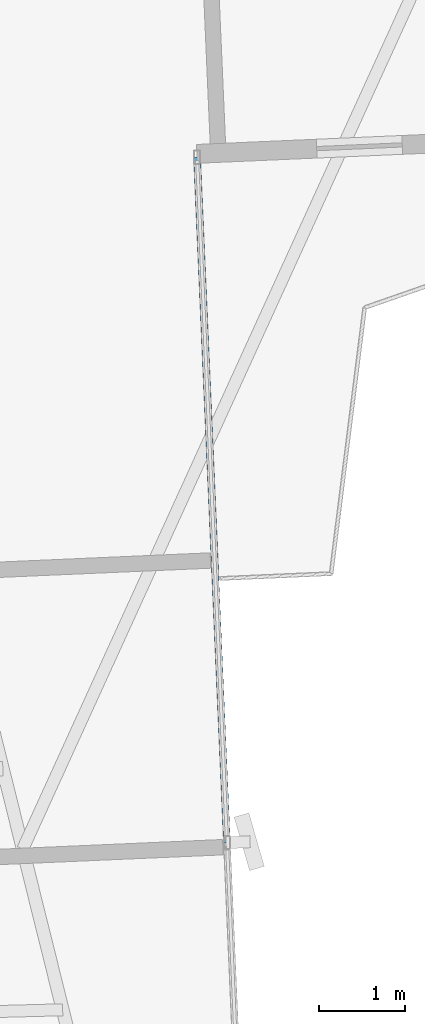
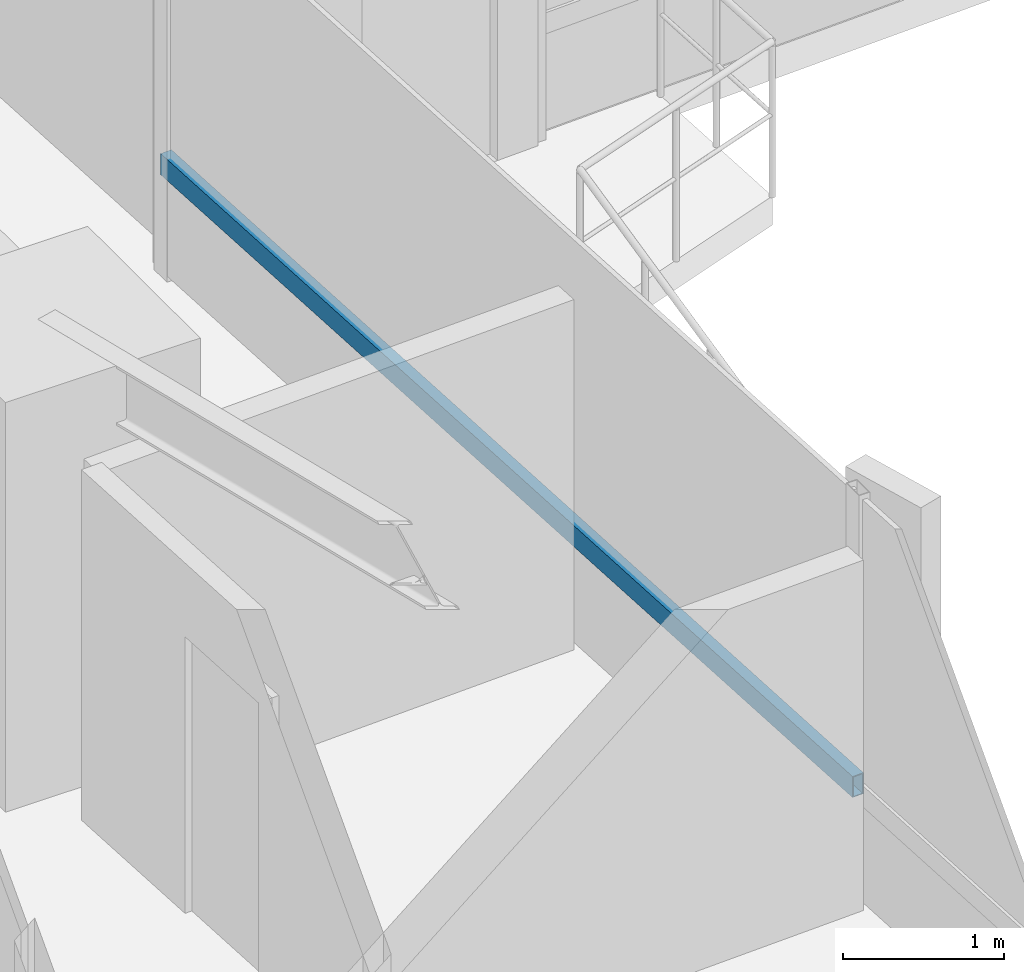
# One storey, part 7 of 26: 1 member, 1 element without a shape of its own.
"""IFC4 building model written with IfcOpenShell, lengths in metres."""

import ifcopenshell
import ifcopenshell.guid

model = None  # the IFC model being written
_history = None  # IfcOwnerHistory: only IFC2X3 demands one
_inside = {}  # id of a spatial element -> (the spatial element, [elements in it])
_under = {}  # id of a project, library or spatial element -> (it, [spatial elements below it])
_declared = {}  # id of a project -> (the project, [libraries it declares])
_typed = {}  # id of a type object -> (the type object, [elements of that type])
_made_of = {}  # id of a material, layer set ... -> (it, [elements and type objects made of it])


def new_model(schema):
    """Start an empty IFC model of exactly this schema.

    Asked for "IFC4X3", IfcOpenShell would pick the latest addendum, in which some entities
    have other attributes; the version numbers below select the first issue.
    IFC2X3 requires an IfcOwnerHistory on every rooted entity: one is made here for all.
    """
    global model, _history
    if schema == "IFC4X3":
        model = ifcopenshell.file(schema_version=(4, 3, 0, 0))
    else:
        model = ifcopenshell.file(schema=schema)
    _inside.clear()
    _under.clear()
    _declared.clear()
    _typed.clear()
    _made_of.clear()
    _history = None
    if model.schema == "IFC2X3":
        org = make("IfcOrganization", Name="unknown")
        user = make(
            "IfcPersonAndOrganization",
            ThePerson=make("IfcPerson", FamilyName="unknown"),
            TheOrganization=org,
        )
        app = make(
            "IfcApplication",
            ApplicationDeveloper=org,
            Version="unknown",
            ApplicationFullName="unknown",
            ApplicationIdentifier="unknown",
        )
        _history = make(
            "IfcOwnerHistory",
            OwningUser=user,
            OwningApplication=app,
            ChangeAction="ADDED",
            CreationDate=0,
        )
    return model


def make(cls, **values):
    """One entity of the class cls with the attributes given. An attribute that is None is left unset."""
    return model.create_entity(
        cls, **{name: value for name, value in values.items() if value is not None}
    )


def rooted(cls, **values):
    """An entity with a GlobalId (a new one), such as an element, a storey or a relation."""
    return make(cls, GlobalId=ifcopenshell.guid.new(), OwnerHistory=_history, **values)


def si_unit(unit_type, name, prefix=None):
    """IfcSIUnit, for example si_unit("LENGTHUNIT", "METRE", prefix="MILLI")."""
    return make("IfcSIUnit", UnitType=unit_type, Prefix=prefix, Name=name)


def assignment(units):
    """IfcUnitAssignment: the units of a project."""
    return None if units is None else make("IfcUnitAssignment", Units=units)


def point(xyz):
    """IfcCartesianPoint."""
    return None if xyz is None else make("IfcCartesianPoint", Coordinates=xyz)


def direction(xyz):
    """IfcDirection."""
    return None if xyz is None else make("IfcDirection", DirectionRatios=xyz)


def frame(location, z_axis=None, x_axis=None):
    """IfcAxis2Placement3D, a coordinate frame: its origin and axes. An axis left out is left unset."""
    return make(
        "IfcAxis2Placement3D",
        Location=point(location),
        Axis=direction(z_axis),
        RefDirection=direction(x_axis),
    )


def frame_2d(location, x_axis=None):
    """IfcAxis2Placement2D, a coordinate frame in the plane: its origin and x axis."""
    return make(
        "IfcAxis2Placement2D", Location=point(location), RefDirection=direction(x_axis)
    )


def origin():
    """The frame at (0, 0, 0) with its axes left unset."""
    return frame((0.0, 0.0, 0.0))


def origin_2d():
    """The frame at (0, 0) in the plane with its x axis left unset."""
    return frame_2d((0.0, 0.0))


def place(relative_to, where):
    """IfcLocalPlacement: puts the frame where relative to a parent placement (None: the world)."""
    return make(
        "IfcLocalPlacement", PlacementRelTo=relative_to, RelativePlacement=where
    )


def context(
    kind, dimensions, precision=None, world=None, true_north=None, identifier=None
):
    """IfcGeometricRepresentationContext, for example the 3D "Model" context."""
    return make(
        "IfcGeometricRepresentationContext",
        ContextIdentifier=identifier,
        ContextType=kind,
        CoordinateSpaceDimension=dimensions,
        Precision=precision,
        WorldCoordinateSystem=world,
        TrueNorth=true_north,
    )


def subcontext(parent, identifier, kind, view, scale=None):
    """IfcGeometricRepresentationSubContext, for example "Body" below "Model"."""
    return make(
        "IfcGeometricRepresentationSubContext",
        ContextIdentifier=identifier,
        ContextType=kind,
        ParentContext=parent,
        TargetScale=scale,
        TargetView=view,
    )


def project(units=None, contexts=None):
    """IfcProject with its units and contexts."""
    return rooted(
        "IfcProject",
        Name="project",
        RepresentationContexts=contexts,
        UnitsInContext=assignment(units),
    )


def spatial(cls, under=None, at=None, **own):
    """A site, building, storey or space (cls), placed at a placement, below another one or the project."""
    s = rooted(cls, ObjectPlacement=at, **own)
    if under is not None:
        _under.setdefault(under.id(), (under, []))[1].append(s)
    return s


def profile(cls, at=None, kind="AREA", **sizes):
    """A parametric profile (cls). Its sizes go by their IFC names, for example OverallWidth=200.0."""
    return make(cls, ProfileType=kind, Position=at, **sizes)


def hollow_rectangle(**sizes):
    """IfcRectangleHollowProfileDef."""
    return profile("IfcRectangleHollowProfileDef", **sizes)


def extrude(swept, where, along, depth):
    """IfcExtrudedAreaSolid: the profile swept, set in the frame where, extruded along a direction by depth."""
    return make(
        "IfcExtrudedAreaSolid",
        SweptArea=swept,
        Position=where,
        ExtrudedDirection=direction(along),
        Depth=depth,
    )


def shape(context_of_items, identifier, shape_type, items):
    """IfcShapeRepresentation: the items that make up one representation, for example the "Body"."""
    return make(
        "IfcShapeRepresentation",
        ContextOfItems=context_of_items,
        RepresentationIdentifier=identifier,
        RepresentationType=shape_type,
        Items=items,
    )


def source(mapping_origin, context_of_items, identifier, shape_type, items):
    """IfcRepresentationMap: a shape defined once, which mapped items show again and again."""
    return make(
        "IfcRepresentationMap",
        MappingOrigin=mapping_origin,
        MappedRepresentation=shape(context_of_items, identifier, shape_type, items),
    )


def transform(
    local_origin,
    x_axis=None,
    y_axis=None,
    z_axis=None,
    scale=None,
    scale2=None,
    scale3=None,
    uniform=True,
):
    """IfcCartesianTransformationOperator3D, or its non-uniform kind. x_axis, y_axis, z_axis: its Axis1, 2, 3."""
    if uniform:
        return make(
            "IfcCartesianTransformationOperator3D",
            Axis1=direction(x_axis),
            Axis2=direction(y_axis),
            LocalOrigin=point(local_origin),
            Scale=scale,
            Axis3=direction(z_axis),
        )
    return make(
        "IfcCartesianTransformationOperator3DnonUniform",
        Axis1=direction(x_axis),
        Axis2=direction(y_axis),
        LocalOrigin=point(local_origin),
        Scale=scale,
        Axis3=direction(z_axis),
        Scale2=scale2,
        Scale3=scale3,
    )


def mapped(mapping_source, mapping_target):
    """IfcMappedItem: shows the shape of a source again, moved by a transform."""
    return make(
        "IfcMappedItem", MappingSource=mapping_source, MappingTarget=mapping_target
    )


def material(Name=None, Category=None):
    """IfcMaterial."""
    return make("IfcMaterial", Name=Name, Category=Category)


def material_profile(
    of_material, cross_section, Name=None, Category=None, Priority=None
):
    """IfcMaterialProfile: a cross section and its material."""
    return make(
        "IfcMaterialProfile",
        Name=Name,
        Material=of_material,
        Profile=cross_section,
        Priority=Priority,
        Category=Category,
    )


def profile_set(profiles, Name=None, composite=None):
    """IfcMaterialProfileSet."""
    return make(
        "IfcMaterialProfileSet",
        Name=Name,
        MaterialProfiles=profiles,
        CompositeProfile=composite,
    )


def made_of(thing, what):
    """Note that an element or type object is made of a material, layer set ...; save() writes the relation."""
    if what is not None:
        _made_of.setdefault(what.id(), (what, []))[1].append(thing)
    return thing


def type_object(cls, material=None, **own):
    """A type object (cls), such as IfcWallType, which elements share."""
    return made_of(rooted(cls, **own), material)


def element(
    cls,
    number,
    at=None,
    inside=None,
    cuts=None,
    type_object=None,
    material=None,
    context=None,
    identifier="Body",
    shape_type=None,
    held_by="IfcProductDefinitionShape",
    body=None,
    shapes=None,
    **own,
):
    """One element of the class cls, such as IfcWall. Its Tag is "e" and its number.

    at: its placement. inside: the storey or other place that contains it. cuts: it is an
    opening in that element (IfcRelVoidsElement). A single representation is given by context,
    identifier, shape_type and body (its items); several are given by shapes. held_by: the class
    of the entity that holds the representations. save() writes the other relations.
    """
    e = rooted(cls, Tag="e%d" % number, ObjectPlacement=at, **own)
    if body is not None:
        shapes = [shape(context, identifier, shape_type, body)]
    if shapes is not None:
        e.Representation = make(held_by, Representations=shapes)
    if inside is not None:
        _inside.setdefault(inside.id(), (inside, []))[1].append(e)
    if cuts is not None:
        rooted(
            "IfcRelVoidsElement", RelatingBuildingElement=cuts, RelatedOpeningElement=e
        )
    if type_object is not None:
        _typed.setdefault(type_object.id(), (type_object, []))[1].append(e)
    return made_of(e, material)


def aggregate(whole, parts):
    """IfcRelAggregates: a whole, such as a stair, and the parts it consists of."""
    return rooted("IfcRelAggregates", RelatingObject=whole, RelatedObjects=parts)


def save(model, path):
    """Write the relations noted so far, then the file.

    IfcRelAggregates (storeys below a building ...), IfcRelContainedInSpatialStructure (elements
    in a storey), IfcRelDefinesByType, IfcRelAssociatesMaterial and IfcRelDeclares: one each for
    every whole, place, type object, material and project.
    """
    for whole, parts in _under.values():
        aggregate(whole, parts)
    for where, things in _inside.values():
        rooted(
            "IfcRelContainedInSpatialStructure",
            RelatedElements=things,
            RelatingStructure=where,
        )
    for kind, things in _typed.values():
        rooted("IfcRelDefinesByType", RelatedObjects=things, RelatingType=kind)
    for what, things in _made_of.values():
        rooted("IfcRelAssociatesMaterial", RelatedObjects=things, RelatingMaterial=what)
    for by, libraries in _declared.values():
        rooted("IfcRelDeclares", RelatingContext=by, RelatedDefinitions=libraries)
    model.write(path)


model = new_model("IFC4")

# Units and contexts
model_context = context("Model", 3, precision=1e-05, world=origin(), true_north=direction((0.0, 1.0)))
body_context = subcontext(model_context, "Body", "Model", "MODEL_VIEW")
ifc_project = project(units=[si_unit("LENGTHUNIT", "METRE"), si_unit("AREAUNIT", "SQUARE_METRE"), si_unit("VOLUMEUNIT", "CUBIC_METRE"), si_unit("PLANEANGLEUNIT", "RADIAN"), si_unit("MASSUNIT", "GRAM", prefix="KILO")], contexts=[model_context])

# Site, building, storey
site_placement = place(None, origin())
site = spatial("IfcSite", under=ifc_project, at=site_placement, CompositionType="ELEMENT")
building_placement = place(site_placement, origin())
building = spatial("IfcBuilding", under=site, at=building_placement, Name="Sahyath Konkavel Grand Hotel", CompositionType="ELEMENT")
storey_placement = place(building_placement, frame((0.0, 0.0, 93.550048828125)))
storey = spatial("IfcBuildingStorey", under=building, at=storey_placement, Name="L25", CompositionType="ELEMENT", Elevation=93.550048828125)

# Curtain wall, member
ifc_material_1 = material(Name="Anodised Bronze Aluminium & Low-E Glazing", Category="aluminium")
curtain_wall_type = type_object("IfcCurtainWallType", Name="CW-ZONE2", PredefinedType="NOTDEFINED", material=ifc_material_1)
curtain_wall_placement = place(storey_placement, origin())
curtain_wall = element("IfcCurtainWall", 1, at=curtain_wall_placement, inside=storey, type_object=curtain_wall_type, Name="L25 Unitised Curtain Wall F31", PredefinedType="NOTDEFINED")
ifc_material_2 = material(Name="Anodised Bronze Aluminium", Category="aluminium")
ifc_material_profile = material_profile(ifc_material_2, hollow_rectangle(XDim=0.080078125, YDim=0.159912109375, WallThickness=0.006103515625, at=origin_2d()), Name="RHS 160x80x6")
ifc_profile_set = profile_set([ifc_material_profile], Name="Anodised Bronze Aluminium")
member_type = type_object("IfcMemberType", Name="CW-TRN-160", PredefinedType="USERDEFINED", material=ifc_profile_set)
shared_shape = source(origin(), body_context, "Body", "SweptSolid", [
    extrude(hollow_rectangle(XDim=0.080078125, YDim=0.159912109375, WallThickness=0.006103515625, at=origin_2d()), origin(), (0.0, 0.0, 1.0), 8.010009765625),
])
member_placement = place(storey_placement, frame((7.232666015625, -14.34814453125, 0.849853515625), z_axis=(-0.043615785896, 0.999048378819, 0.0), x_axis=(-0.999048378819, -0.043615785896, 0.0)))
member = element("IfcMember", 2, at=member_placement, type_object=member_type, Name="L25 Curtain Wall Transom F31-1-spandrel", ObjectType="TRANSOM", PredefinedType="USERDEFINED", context=body_context, shape_type="MappedRepresentation", body=[
    mapped(shared_shape, transform((0.0, 0.0, 0.0), scale=1.0)),
])
aggregate(curtain_wall, [member])

save(model, "model.ifc")
